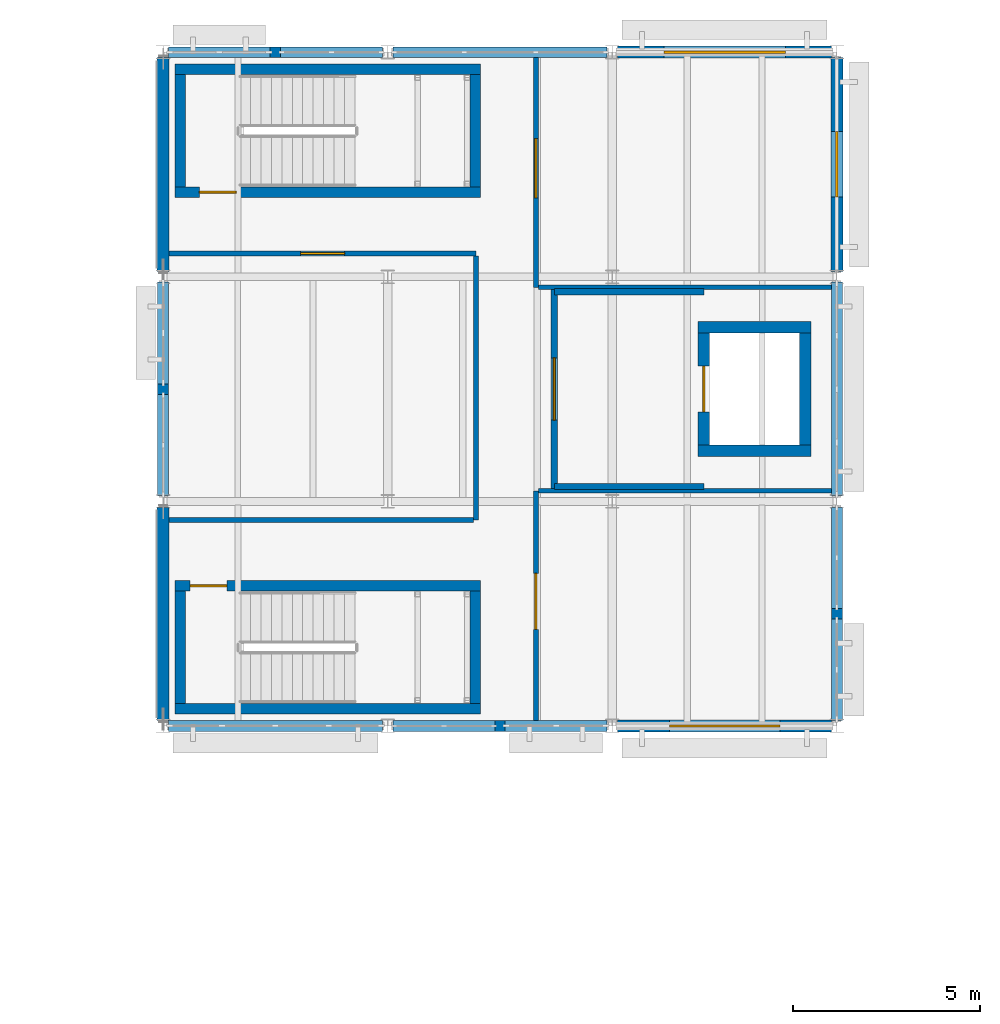
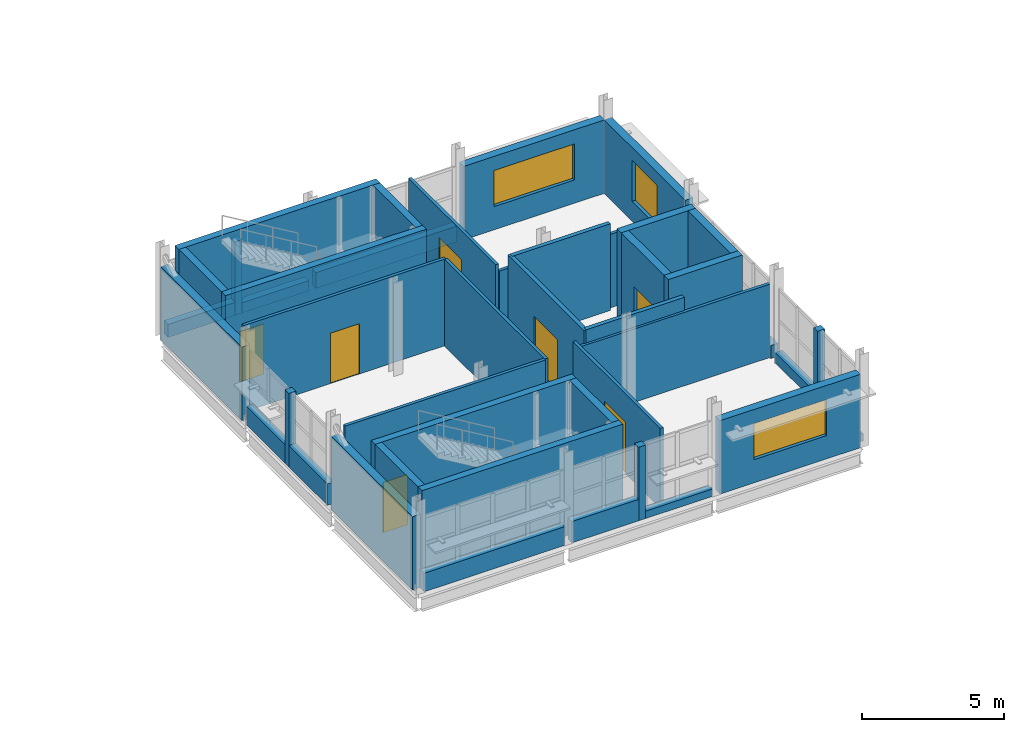
# One storey, part 72 of 92: 42 walls, 7 doors, 3 windows, 10 openings.
"""IFC4 building model written with IfcOpenShell, lengths in metres."""

from ifc_helpers import new_model, si_unit, direction, frame, frame_2d, origin, place, context, subcontext, project, spatial, rectangle, extrude, material, layer, layer_set, type_object, element, fill, save


model = new_model("IFC4")

# Units and contexts
model_context = context("Model", 3, precision=1e-05, world=origin(), true_north=direction((0.0, 1.0)))
body_context = subcontext(model_context, "Body", "Model", "MODEL_VIEW")
ifc_project = project(units=[si_unit("LENGTHUNIT", "METRE"), si_unit("AREAUNIT", "SQUARE_METRE"), si_unit("VOLUMEUNIT", "CUBIC_METRE"), si_unit("PLANEANGLEUNIT", "RADIAN"), si_unit("MASSUNIT", "GRAM", prefix="KILO")], contexts=[model_context])

# Site, building, storey
site_placement = place(None, origin())
site = spatial("IfcSite", under=ifc_project, at=site_placement, CompositionType="ELEMENT")
building_placement = place(site_placement, origin())
building = spatial("IfcBuilding", under=site, at=building_placement, Name="Siltcreek Boulevard Central Fire Station", CompositionType="ELEMENT")
storey_placement = place(building_placement, frame((0.0, 0.0, 6.0)))
storey = spatial("IfcBuildingStorey", under=building, at=storey_placement, Name="L02", CompositionType="ELEMENT", Elevation=6.0)

# Wall
ifc_material_1 = material(Name="Concrete C40/50", Category="concrete")
ifc_layer_1 = layer(ifc_material_1, 0.280029296875, Name="Concrete C40/50")
ifc_layer_set_1 = layer_set([ifc_layer_1], Name="Concrete C40/50")
wall_type_1 = type_object("IfcWallType", Name="CW_SHEAR280", PredefinedType="SHEAR", material=ifc_layer_set_1)
wall_1_placement = place(storey_placement, frame((42.320068359375, 94.659912109375, 0.0), z_axis=(0.0, 0.0, 1.0), x_axis=(1.0, 0.0, 0.0)))
element("IfcWall", 1, at=wall_1_placement, inside=storey, type_object=wall_type_1, Name="L02 ST-V3A stair enclosure south shear wall", PredefinedType="SHEAR", context=body_context, shape_type="SweptSolid", body=[
    extrude(rectangle(XDim=8.159912109375, YDim=0.280029296875, at=frame_2d((4.080078125, 0.0))), origin(), (0.0, 0.0, 1.0), 4.0),
])

# Wall, opening, door
wall_2_placement = place(storey_placement, frame((50.47998046875, 97.93994140625, 0.0), z_axis=(0.0, 0.0, 1.0), x_axis=(-1.0, 0.0, 0.0)))
wall_2 = element("IfcWall", 2, at=wall_2_placement, inside=storey, type_object=wall_type_1, Name="L02 ST-V3A stair enclosure north shear wall", PredefinedType="SHEAR", context=body_context, shape_type="SweptSolid", body=[
    extrude(rectangle(XDim=8.159912109375, YDim=0.280029296875, at=frame_2d((4.080078125, 0.0))), origin(), (0.0, 0.0, 1.0), 4.0),
])
opening_1_placement = place(wall_2_placement, frame((6.780029296875, 0.0, 0.0)))
opening_1 = element("IfcOpeningElement", 3, at=opening_1_placement, cuts=wall_2, Name="Opening SD-021", PredefinedType="OPENING", context=body_context, shape_type="SweptSolid", body=[
    extrude(rectangle(XDim=0.97998046875, YDim=2.14990234375, at=frame_2d((0.489990234375, 1.074951171875))), frame((0.0, 0.14990234375, 0.0), z_axis=(0.0, -1.0, 0.0), x_axis=(1.0, 0.0, 0.0)), (0.0, 0.0, 1.0), 0.300048828125),
])
ifc_material_2 = material(Name="Hollow metal 90-min enclosed stair door")
door_type_1 = type_object("IfcDoorType", Name="DR_ST_098X215", OperationType="NOTDEFINED", PredefinedType="DOOR", material=ifc_material_2)
door_1_placement = place(opening_1_placement, origin())
door_1 = element("IfcDoor", 4, at=door_1_placement, inside=storey, type_object=door_type_1, Name="L02 ST-V3A enclosed exit stair door SD-021", OperationType="SINGLE_SWING_RIGHT", OverallHeight=2.14990234375, OverallWidth=0.97998046875, PredefinedType="DOOR", context=body_context, shape_type="SweptSolid", body=[
    extrude(rectangle(XDim=0.97998046875, YDim=2.14990234375, at=frame_2d((0.489990234375, 1.074951171875))), frame((0.0, 0.02490234375, 0.0), z_axis=(0.0, -1.0, 0.0), x_axis=(1.0, 0.0, 0.0)), (0.0, 0.0, 1.0), 0.050048828125),
])
fill(opening_1, door_1)

# Walls
for number, where, z_axis, x_axis, name in (
    (5, (42.4599609375, 97.800048828125, 0.0), (0.0, 0.0, 1.0), (0.0, -1.0, 0.0), "L02 ST-V3A stair enclosure west shear wall"),
    (6, (50.340087890625, 94.800048828125, 0.0), (0.0, 0.0, 1.0), (0.0, 1.0, 0.0), "L02 ST-V3A stair enclosure east shear wall"),
):
    element("IfcWall", number, at=place(storey_placement, frame(where, z_axis=z_axis, x_axis=x_axis)), inside=storey, type_object=wall_type_1, Name=name, PredefinedType="SHEAR", context=body_context, shape_type="SweptSolid", body=[
        extrude(rectangle(XDim=3.0, YDim=0.280029296875, at=frame_2d((1.5, 0.0))), origin(), (0.0, 0.0, 1.0), 4.0),
    ])

# Wall, opening, door
wall_3_placement = place(storey_placement, frame((42.320068359375, 108.4599609375, 0.0), z_axis=(0.0, 0.0, 1.0), x_axis=(1.0, 0.0, 0.0)))
wall_3 = element("IfcWall", 7, at=wall_3_placement, inside=storey, type_object=wall_type_1, Name="L02 ST-V3B stair enclosure south shear wall", PredefinedType="SHEAR", context=body_context, shape_type="SweptSolid", body=[
    extrude(rectangle(XDim=8.159912109375, YDim=0.280029296875, at=frame_2d((4.080078125, 0.0))), origin(), (0.0, 0.0, 1.0), 4.0),
])
opening_2_placement = place(wall_3_placement, frame((0.64990234375, 0.0, 0.0)))
opening_2 = element("IfcOpeningElement", 8, at=opening_2_placement, cuts=wall_3, Name="Opening SD-027", PredefinedType="OPENING", context=body_context, shape_type="SweptSolid", body=[
    extrude(rectangle(XDim=0.97998046875, YDim=2.14990234375, at=frame_2d((0.489990234375, 1.074951171875))), frame((0.0, 0.14990234375, 0.0), z_axis=(0.0, -1.0, 0.0), x_axis=(1.0, 0.0, 0.0)), (0.0, 0.0, 1.0), 0.300048828125),
])
door_2_placement = place(opening_2_placement, origin())
door_2 = element("IfcDoor", 9, at=door_2_placement, inside=storey, type_object=door_type_1, Name="L02 ST-V3B enclosed exit stair door SD-027", OperationType="SINGLE_SWING_RIGHT", OverallHeight=2.14990234375, OverallWidth=0.97998046875, PredefinedType="DOOR", context=body_context, shape_type="SweptSolid", body=[
    extrude(rectangle(XDim=0.97998046875, YDim=2.14990234375, at=frame_2d((0.489990234375, 1.074951171875))), frame((0.0, 0.02490234375, 0.0), z_axis=(0.0, -1.0, 0.0), x_axis=(1.0, 0.0, 0.0)), (0.0, 0.0, 1.0), 0.050048828125),
])
fill(opening_2, door_2)

# Walls
wall_4_placement = place(storey_placement, frame((50.47998046875, 111.739990234375, 0.0), z_axis=(0.0, 0.0, 1.0), x_axis=(-1.0, 0.0, 0.0)))
element("IfcWall", 10, at=wall_4_placement, inside=storey, type_object=wall_type_1, Name="L02 ST-V3B stair enclosure north shear wall", PredefinedType="SHEAR", context=body_context, shape_type="SweptSolid", body=[
    extrude(rectangle(XDim=8.159912109375, YDim=0.280029296875, at=frame_2d((4.080078125, 0.0))), origin(), (0.0, 0.0, 1.0), 4.0),
])
for number, where, z_axis, x_axis, name in (
    (11, (42.4599609375, 111.60009765625, 0.0), (0.0, 0.0, 1.0), (0.0, -1.0, 0.0), "L02 ST-V3B stair enclosure west shear wall"),
    (12, (50.340087890625, 108.60009765625, 0.0), (0.0, 0.0, 1.0), (0.0, 1.0, 0.0), "L02 ST-V3B stair enclosure east shear wall"),
):
    element("IfcWall", number, at=place(storey_placement, frame(where, z_axis=z_axis, x_axis=x_axis)), inside=storey, type_object=wall_type_1, Name=name, PredefinedType="SHEAR", context=body_context, shape_type="SweptSolid", body=[
        extrude(rectangle(XDim=3.0, YDim=0.280029296875, at=frame_2d((1.5, 0.0))), origin(), (0.0, 0.0, 1.0), 4.0),
    ])
ifc_layer_2 = layer(ifc_material_1, 0.304931640625, Name="Concrete C40/50")
ifc_layer_set_2 = layer_set([ifc_layer_2], Name="Concrete C40/50")
wall_type_2 = type_object("IfcWallType", Name="CW_SHEAR305", PredefinedType="SHEAR", material=ifc_layer_set_2)
for number, where, z_axis, x_axis, name in (
    (13, (56.294921875, 101.547607421875, 0.0), (0.0, 0.0, 1.0), (1.0, 0.0, 0.0), "L02 EL-04 elevator shaft south shear wall"),
    (14, (59.304931640625, 104.8525390625, 0.0), (0.0, 0.0, 1.0), (-1.0, 0.0, 0.0), "L02 EL-04 elevator shaft north shear wall"),
):
    element("IfcWall", number, at=place(storey_placement, frame(where, z_axis=z_axis, x_axis=x_axis)), inside=storey, type_object=wall_type_2, Name=name, PredefinedType="SHEAR", context=body_context, shape_type="SweptSolid", body=[
        extrude(rectangle(XDim=3.010009765625, YDim=0.304931640625, at=frame_2d((1.5048828125, 0.0))), origin(), (0.0, 0.0, 1.0), 4.0),
    ])

# Wall, opening, door
wall_5_placement = place(storey_placement, frame((56.447509765625, 104.699951171875, 0.0), z_axis=(0.0, 0.0, 1.0), x_axis=(0.0, -1.0, 0.0)))
wall_5 = element("IfcWall", 15, at=wall_5_placement, inside=storey, type_object=wall_type_2, Name="L02 EL-04 elevator shaft west shear wall", PredefinedType="SHEAR", context=body_context, shape_type="SweptSolid", body=[
    extrude(rectangle(XDim=3.0, YDim=0.304931640625, at=frame_2d((1.5, 0.0))), origin(), (0.0, 0.0, 1.0), 4.0),
])
opening_3_placement = place(wall_5_placement, frame((0.889892578125, 0.0, 0.0)))
opening_3 = element("IfcOpeningElement", 16, at=opening_3_placement, cuts=wall_5, Name="Opening LD02", PredefinedType="OPENING", context=body_context, shape_type="SweptSolid", body=[
    extrude(rectangle(XDim=1.219970703125, YDim=2.219970703125, at=frame_2d((0.60986328125, 1.10986328125))), frame((0.0, 0.162353515625, 0.0), z_axis=(0.0, -1.0, 0.0), x_axis=(1.0, 0.0, 0.0)), (0.0, 0.0, 1.0), 0.324951171875),
])
ifc_material_3 = material(Name="Stainless steel firefighting sliding elevator landing door", Category="steel")
door_type_2 = type_object("IfcDoorType", Name="DR_LD_122X222", OperationType="NOTDEFINED", PredefinedType="DOOR", material=ifc_material_3)
door_3_placement = place(opening_3_placement, origin())
door_3 = element("IfcDoor", 17, at=door_3_placement, inside=storey, type_object=door_type_2, Name="L02 EL-04 elevator sliding landing door LD-17", OperationType="SLIDING_TO_LEFT", OverallHeight=2.219970703125, OverallWidth=1.219970703125, PredefinedType="DOOR", context=body_context, shape_type="SweptSolid", body=[
    extrude(rectangle(XDim=1.219970703125, YDim=2.219970703125, at=frame_2d((0.60986328125, 1.10986328125))), frame((0.0, 0.02490234375, 0.0), z_axis=(0.0, -1.0, 0.0), x_axis=(1.0, 0.0, 0.0)), (0.0, 0.0, 1.0), 0.050048828125),
])
fill(opening_3, door_3)

# Walls
wall_6_placement = place(storey_placement, frame((59.152587890625, 101.699951171875, 0.0), z_axis=(0.0, 0.0, 1.0), x_axis=(0.0, 1.0, 0.0)))
element("IfcWall", 18, at=wall_6_placement, inside=storey, type_object=wall_type_2, Name="L02 EL-04 elevator shaft east shear wall", PredefinedType="SHEAR", context=body_context, shape_type="SweptSolid", body=[
    extrude(rectangle(XDim=3.0, YDim=0.304931640625, at=frame_2d((1.5, 0.0))), origin(), (0.0, 0.0, 1.0), 4.0),
])
ifc_material_4 = material(Name="White ribbed aluminum spandrel wall", Category="aluminium")
ifc_layer_3 = layer(ifc_material_4, 0.2900390625, Name="White ribbed aluminum spandrel wall")
ifc_layer_set_3 = layer_set([ifc_layer_3], Name="White ribbed aluminum spandrel wall")
wall_type_3 = type_object("IfcWallType", Name="EW_METAL290", PredefinedType="STANDARD", material=ifc_layer_set_3)
wall_7_placement = place(storey_placement, frame((42.14501953125, 94.199951171875, 0.0), z_axis=(0.0, 0.0, 1.0), x_axis=(1.0, 0.0, 0.0)))
element("IfcWall", 19, at=wall_7_placement, inside=storey, type_object=wall_type_3, Name="L02 V3 curtain-wall sill spandrel 0123", PredefinedType="STANDARD", context=body_context, shape_type="SweptSolid", body=[
    extrude(rectangle(XDim=5.7099609375, YDim=0.2900390625, at=frame_2d((2.85498046875, 0.0))), origin(), (0.0, 0.0, 1.0), 0.800048828125),
])
wall_8_placement = place(storey_placement, frame((50.860107421875, 94.199951171875, 0.0), z_axis=(0.0, 0.0, 1.0), x_axis=(1.0, 0.0, 0.0)))
element("IfcWall", 20, at=wall_8_placement, inside=storey, type_object=wall_type_3, Name="L02 V3 facade pier 0124", PredefinedType="STANDARD", context=body_context, shape_type="SweptSolid", body=[
    extrude(rectangle(XDim=0.27978515625, YDim=0.2900390625, at=frame_2d((0.139892578125, 0.0))), origin(), (0.0, 0.0, 1.0), 3.153076171875),
])
wall_9_placement = place(storey_placement, frame((48.14501953125, 94.199951171875, 0.0), z_axis=(0.0, 0.0, 1.0), x_axis=(1.0, 0.0, 0.0)))
element("IfcWall", 21, at=wall_9_placement, inside=storey, type_object=wall_type_3, Name="L02 V3 curtain-wall sill spandrel 0125", PredefinedType="STANDARD", context=body_context, shape_type="SweptSolid", body=[
    extrude(rectangle(XDim=2.715087890625, YDim=0.2900390625, at=frame_2d((1.357421875, 0.0))), origin(), (0.0, 0.0, 1.0), 0.919921875),
])
wall_10_placement = place(storey_placement, frame((51.139892578125, 94.199951171875, 0.0), z_axis=(0.0, 0.0, 1.0), x_axis=(1.0, 0.0, 0.0)))
element("IfcWall", 22, at=wall_10_placement, inside=storey, type_object=wall_type_3, Name="L02 V3 curtain-wall sill spandrel 0126", PredefinedType="STANDARD", context=body_context, shape_type="SweptSolid", body=[
    extrude(rectangle(XDim=2.715087890625, YDim=0.2900390625, at=frame_2d((1.357421875, 0.0))), origin(), (0.0, 0.0, 1.0), 0.320068359375),
])
wall_11_placement = place(storey_placement, frame((45.139892578125, 112.199951171875, 0.0), z_axis=(0.0, 0.0, 1.0), x_axis=(-1.0, 0.0, 0.0)))
element("IfcWall", 23, at=wall_11_placement, inside=storey, type_object=wall_type_3, Name="L02 V3 facade pier 0128", PredefinedType="STANDARD", context=body_context, shape_type="SweptSolid", body=[
    extrude(rectangle(XDim=0.27978515625, YDim=0.2900390625, at=frame_2d((0.139892578125, 0.0))), origin(), (0.0, 0.0, 1.0), 3.153076171875),
])
wall_12_placement = place(storey_placement, frame((47.85498046875, 112.199951171875, 0.0), z_axis=(0.0, 0.0, 1.0), x_axis=(-1.0, 0.0, 0.0)))
element("IfcWall", 24, at=wall_12_placement, inside=storey, type_object=wall_type_3, Name="L02 V3 curtain-wall sill spandrel 0129", PredefinedType="STANDARD", context=body_context, shape_type="SweptSolid", body=[
    extrude(rectangle(XDim=2.715087890625, YDim=0.2900390625, at=frame_2d((1.357421875, 0.0))), origin(), (0.0, 0.0, 1.0), 0.43994140625),
])
wall_13_placement = place(storey_placement, frame((44.860107421875, 112.199951171875, 0.0), z_axis=(0.0, 0.0, 1.0), x_axis=(-1.0, 0.0, 0.0)))
element("IfcWall", 25, at=wall_13_placement, inside=storey, type_object=wall_type_3, Name="L02 V3 curtain-wall sill spandrel 0130", PredefinedType="STANDARD", context=body_context, shape_type="SweptSolid", body=[
    extrude(rectangle(XDim=2.715087890625, YDim=0.2900390625, at=frame_2d((1.357421875, 0.0))), origin(), (0.0, 0.0, 1.0), 0.56005859375),
])
wall_14_placement = place(storey_placement, frame((53.85498046875, 112.199951171875, 0.0), z_axis=(0.0, 0.0, 1.0), x_axis=(-1.0, 0.0, 0.0)))
element("IfcWall", 26, at=wall_14_placement, inside=storey, type_object=wall_type_3, Name="L02 V3 curtain-wall sill spandrel 0131", PredefinedType="STANDARD", context=body_context, shape_type="SweptSolid", body=[
    extrude(rectangle(XDim=5.7099609375, YDim=0.2900390625, at=frame_2d((2.85498046875, 0.0))), origin(), (0.0, 0.0, 1.0), 0.679931640625),
])
wall_15_placement = place(storey_placement, frame((42.0, 103.340087890625, 0.0), z_axis=(0.0, 0.0, 1.0), x_axis=(0.0, -1.0, 0.0)))
element("IfcWall", 27, at=wall_15_placement, inside=storey, type_object=wall_type_3, Name="L02 V3 facade pier 0134", PredefinedType="STANDARD", context=body_context, shape_type="SweptSolid", body=[
    extrude(rectangle(XDim=0.280029296875, YDim=0.2900390625, at=frame_2d((0.14013671875, 0.0))), origin(), (0.0, 0.0, 1.0), 3.156982421875),
])
wall_16_placement = place(storey_placement, frame((42.0, 106.054931640625, 0.0), z_axis=(0.0, 0.0, 1.0), x_axis=(0.0, -1.0, 0.0)))
element("IfcWall", 28, at=wall_16_placement, inside=storey, type_object=wall_type_3, Name="L02 V3 curtain-wall sill spandrel 0135", PredefinedType="STANDARD", context=body_context, shape_type="SweptSolid", body=[
    extrude(rectangle(XDim=2.71484375, YDim=0.2900390625, at=frame_2d((1.357421875, 0.0))), origin(), (0.0, 0.0, 1.0), 0.800048828125),
])
wall_17_placement = place(storey_placement, frame((42.0, 103.06005859375, 0.0), z_axis=(0.0, 0.0, 1.0), x_axis=(0.0, -1.0, 0.0)))
element("IfcWall", 29, at=wall_17_placement, inside=storey, type_object=wall_type_3, Name="L02 V3 curtain-wall sill spandrel 0136", PredefinedType="STANDARD", context=body_context, shape_type="SweptSolid", body=[
    extrude(rectangle(XDim=2.715087890625, YDim=0.2900390625, at=frame_2d((1.357421875, 0.0))), origin(), (0.0, 0.0, 1.0), 0.919921875),
])
wall_18_placement = place(storey_placement, frame((60.0, 97.06005859375, 0.0), z_axis=(0.0, 0.0, 1.0), x_axis=(0.0, 1.0, 0.0)))
element("IfcWall", 30, at=wall_18_placement, inside=storey, type_object=wall_type_3, Name="L02 V3 facade pier 0138", PredefinedType="STANDARD", context=body_context, shape_type="SweptSolid", body=[
    extrude(rectangle(XDim=0.280029296875, YDim=0.2900390625, at=frame_2d((0.14013671875, 0.0))), origin(), (0.0, 0.0, 1.0), 3.156982421875),
])
wall_19_placement = place(storey_placement, frame((60.0, 94.344970703125, 0.0), z_axis=(0.0, 0.0, 1.0), x_axis=(0.0, 1.0, 0.0)))
element("IfcWall", 31, at=wall_19_placement, inside=storey, type_object=wall_type_3, Name="L02 V3 curtain-wall sill spandrel 0139", PredefinedType="STANDARD", context=body_context, shape_type="SweptSolid", body=[
    extrude(rectangle(XDim=2.715087890625, YDim=0.2900390625, at=frame_2d((1.357421875, 0.0))), origin(), (0.0, 0.0, 1.0), 0.320068359375),
])
wall_20_placement = place(storey_placement, frame((60.0, 97.340087890625, 0.0), z_axis=(0.0, 0.0, 1.0), x_axis=(0.0, 1.0, 0.0)))
element("IfcWall", 32, at=wall_20_placement, inside=storey, type_object=wall_type_3, Name="L02 V3 curtain-wall sill spandrel 0140", PredefinedType="STANDARD", context=body_context, shape_type="SweptSolid", body=[
    extrude(rectangle(XDim=2.71484375, YDim=0.2900390625, at=frame_2d((1.357421875, 0.0))), origin(), (0.0, 0.0, 1.0), 0.43994140625),
])
wall_21_placement = place(storey_placement, frame((60.0, 100.344970703125, 0.0), z_axis=(0.0, 0.0, 1.0), x_axis=(0.0, 1.0, 0.0)))
element("IfcWall", 33, at=wall_21_placement, inside=storey, type_object=wall_type_3, Name="L02 V3 curtain-wall sill spandrel 0141", PredefinedType="STANDARD", context=body_context, shape_type="SweptSolid", body=[
    extrude(rectangle(XDim=5.7099609375, YDim=0.2900390625, at=frame_2d((2.85498046875, 0.0))), origin(), (0.0, 0.0, 1.0), 0.56005859375),
])

# Wall, opening, window
ifc_material_5 = material(Name="White ribbed aluminum insulated rainscreen panel", Category="aluminium")
ifc_layer_4 = layer(ifc_material_5, 0.320068359375, Name="White ribbed aluminum insulated rainscreen panel")
ifc_layer_set_4 = layer_set([ifc_layer_4], Name="White ribbed aluminum insulated rainscreen panel")
wall_type_4 = type_object("IfcWallType", Name="EW_METAL320", PredefinedType="STANDARD", material=ifc_layer_set_4)
wall_22_placement = place(storey_placement, frame((54.14501953125, 94.199951171875, 0.0), z_axis=(0.0, 0.0, 1.0), x_axis=(1.0, 0.0, 0.0)))
wall_22 = element("IfcWall", 34, at=wall_22_placement, inside=storey, type_object=wall_type_4, Name="L02 V3 exterior insulated rainscreen wall WL-EXT-L02-0127", PredefinedType="STANDARD", context=body_context, shape_type="SweptSolid", body=[
    extrude(rectangle(XDim=5.7099609375, YDim=0.320068359375, at=frame_2d((2.85498046875, 0.0))), origin(), (0.0, 0.0, 1.0), 3.153076171875),
])
opening_4_placement = place(wall_22_placement, frame((1.3798828125, 0.0, 1.0)))
opening_4 = element("IfcOpeningElement", 35, at=opening_4_placement, cuts=wall_22, Name="Opening WN18", PredefinedType="OPENING", context=body_context, shape_type="SweptSolid", body=[
    extrude(rectangle(XDim=2.949951171875, YDim=1.550048828125, at=frame_2d((1.47509765625, 0.77490234375))), frame((0.0, 0.169921875, 0.0), z_axis=(0.0, -1.0, 0.0), x_axis=(1.0, 0.0, 0.0)), (0.0, 0.0, 1.0), 0.340087890625),
])
ifc_material_6 = material(Name="Thermally broken aluminum frame with low-E insulated glass", Category="aluminium")
window_type_1 = type_object("IfcWindowType", Name="WN_PB_295X155", PartitioningType="SINGLE_PANEL", PredefinedType="WINDOW", material=ifc_material_6)
window_1_placement = place(opening_4_placement, origin())
window_1 = element("IfcWindow", 36, at=window_1_placement, inside=storey, type_object=window_type_1, Name="L02 V3 exterior window WN-0085", OverallHeight=1.550048828125, OverallWidth=2.949951171875, PartitioningType="SINGLE_PANEL", PredefinedType="WINDOW", context=body_context, shape_type="SweptSolid", body=[
    extrude(rectangle(XDim=2.949951171875, YDim=1.550048828125, at=frame_2d((1.47509765625, 0.77490234375))), frame((0.0, 0.030029296875, 0.0), z_axis=(0.0, -1.0, 0.0), x_axis=(1.0, 0.0, 0.0)), (0.0, 0.0, 1.0), 0.06005859375),
])
fill(opening_4, window_1)

wall_23_placement = place(storey_placement, frame((59.85498046875, 112.199951171875, 0.0), z_axis=(0.0, 0.0, 1.0), x_axis=(-1.0, 0.0, 0.0)))
wall_23 = element("IfcWall", 37, at=wall_23_placement, inside=storey, type_object=wall_type_4, Name="L02 V3 exterior insulated rainscreen wall WL-EXT-L02-0132", PredefinedType="STANDARD", context=body_context, shape_type="SweptSolid", body=[
    extrude(rectangle(XDim=5.7099609375, YDim=0.320068359375, at=frame_2d((2.85498046875, 0.0))), origin(), (0.0, 0.0, 1.0), 3.153076171875),
])
opening_5_placement = place(wall_23_placement, frame((1.22998046875, 0.0, 1.0)))
opening_5 = element("IfcOpeningElement", 38, at=opening_5_placement, cuts=wall_23, Name="Opening WN19", PredefinedType="OPENING", context=body_context, shape_type="SweptSolid", body=[
    extrude(rectangle(XDim=3.25, YDim=1.550048828125, at=frame_2d((1.625, 0.77490234375))), frame((0.0, 0.169921875, 0.0), z_axis=(0.0, -1.0, 0.0), x_axis=(1.0, 0.0, 0.0)), (0.0, 0.0, 1.0), 0.340087890625),
])
window_type_2 = type_object("IfcWindowType", Name="WN_PB_325X155", PartitioningType="SINGLE_PANEL", PredefinedType="WINDOW", material=ifc_material_6)
window_2_placement = place(opening_5_placement, origin())
window_2 = element("IfcWindow", 39, at=window_2_placement, inside=storey, type_object=window_type_2, Name="L02 V3 exterior window WN-0086", OverallHeight=1.550048828125, OverallWidth=3.25, PartitioningType="SINGLE_PANEL", PredefinedType="WINDOW", context=body_context, shape_type="SweptSolid", body=[
    extrude(rectangle(XDim=3.25, YDim=1.550048828125, at=frame_2d((1.625, 0.77490234375))), frame((0.0, 0.030029296875, 0.0), z_axis=(0.0, -1.0, 0.0), x_axis=(1.0, 0.0, 0.0)), (0.0, 0.0, 1.0), 0.06005859375),
])
fill(opening_5, window_2)

# Walls
for number, where, z_axis, x_axis, name in (
    (40, (42.0, 100.054931640625, 0.0), (0.0, 0.0, 1.0), (0.0, -1.0, 0.0), "L02 V3 exterior insulated rainscreen wall WL-EXT-L02-0133"),
    (41, (42.0, 112.054931640625, 0.0), (0.0, 0.0, 1.0), (0.0, -1.0, 0.0), "L02 V3 exterior insulated rainscreen wall WL-EXT-L02-0137"),
):
    element("IfcWall", number, at=place(storey_placement, frame(where, z_axis=z_axis, x_axis=x_axis)), inside=storey, type_object=wall_type_4, Name=name, PredefinedType="STANDARD", context=body_context, shape_type="SweptSolid", body=[
        extrude(rectangle(XDim=5.7099609375, YDim=0.320068359375, at=frame_2d((2.85498046875, 0.0))), origin(), (0.0, 0.0, 1.0), 3.156982421875),
    ])

# Wall, opening, window
wall_24_placement = place(storey_placement, frame((60.0, 106.344970703125, 0.0), z_axis=(0.0, 0.0, 1.0), x_axis=(0.0, 1.0, 0.0)))
wall_24 = element("IfcWall", 42, at=wall_24_placement, inside=storey, type_object=wall_type_4, Name="L02 V3 exterior insulated rainscreen wall WL-EXT-L02-0142", PredefinedType="STANDARD", context=body_context, shape_type="SweptSolid", body=[
    extrude(rectangle(XDim=5.7099609375, YDim=0.320068359375, at=frame_2d((2.85498046875, 0.0))), origin(), (0.0, 0.0, 1.0), 3.156982421875),
])
opening_6_placement = place(wall_24_placement, frame((1.97998046875, 0.0, 0.85009765625)))
opening_6 = element("IfcOpeningElement", 43, at=opening_6_placement, cuts=wall_24, Name="Opening WN20", PredefinedType="OPENING", context=body_context, shape_type="SweptSolid", body=[
    extrude(rectangle(XDim=1.75, YDim=1.75, at=frame_2d((0.875, 0.875))), frame((0.0, 0.169921875, 0.0), z_axis=(0.0, -1.0, 0.0), x_axis=(1.0, 0.0, 0.0)), (0.0, 0.0, 1.0), 0.340087890625),
])
window_type_3 = type_object("IfcWindowType", Name="WN_PB_175X175", PartitioningType="SINGLE_PANEL", PredefinedType="WINDOW", material=ifc_material_6)
window_3_placement = place(opening_6_placement, origin())
window_3 = element("IfcWindow", 44, at=window_3_placement, inside=storey, type_object=window_type_3, Name="L02 V3 exterior window WN-0087", OverallHeight=1.75, OverallWidth=1.75, PartitioningType="SINGLE_PANEL", PredefinedType="WINDOW", context=body_context, shape_type="SweptSolid", body=[
    extrude(rectangle(XDim=1.75, YDim=1.75, at=frame_2d((0.875, 0.875))), frame((0.0, 0.030029296875, 0.0), z_axis=(0.0, -1.0, 0.0), x_axis=(1.0, 0.0, 0.0)), (0.0, 0.0, 1.0), 0.06005859375),
])
fill(opening_6, window_3)

# Wall, opening, door
ifc_material_7 = material(Name="Interior steel stud gypsum partition", Category="steel")
ifc_layer_5 = layer(ifc_material_7, 0.125, Name="Interior steel stud gypsum partition")
ifc_layer_set_5 = layer_set([ifc_layer_5], Name="Interior steel stud gypsum partition")
wall_type_5 = type_object("IfcWallType", Name="IW_PART125", PredefinedType="PARTITIONING", material=ifc_layer_set_5)
wall_25_placement = place(storey_placement, frame((42.159912109375, 106.820068359375, 0.0), z_axis=(0.0, 0.0, 1.0), x_axis=(1.0, 0.0, 0.0)))
wall_25 = element("IfcWall", 45, at=wall_25_placement, inside=storey, type_object=wall_type_5, Name="L02 Forcible Entry Prop Room partition 0154", PredefinedType="PARTITIONING", context=body_context, shape_type="SweptSolid", body=[
    extrude(rectangle(XDim=8.20263671875, YDim=0.125, at=frame_2d((4.101318359375, 0.0))), origin(), (0.0, 0.0, 1.0), 3.719970703125),
])
opening_7_placement = place(wall_25_placement, frame((3.51123046875, 0.0, 0.0)))
opening_7 = element("IfcOpeningElement", 46, at=opening_7_placement, cuts=wall_25, Name="Opening ID13", PredefinedType="OPENING", context=body_context, shape_type="SweptSolid", body=[
    extrude(rectangle(XDim=1.179931640625, YDim=2.159912109375, at=frame_2d((0.58984375, 1.080078125))), frame((0.0, 0.072509765625, 0.0), z_axis=(0.0, -1.0, 0.0), x_axis=(1.0, 0.0, 0.0)), (0.0, 0.0, 1.0), 0.14501953125),
])
ifc_material_8 = material(Name="Antimicrobial walk-in triage door")
door_type_3 = type_object("IfcDoorType", Name="DR_MED_118X216", OperationType="NOTDEFINED", PredefinedType="DOOR", material=ifc_material_8)
door_4_placement = place(opening_7_placement, frame((1.179931640625, 0.0, 0.0), z_axis=(0.0, 0.0, 1.0), x_axis=(-1.0, 0.0, 0.0)))
door_4 = element("IfcDoor", 47, at=door_4_placement, inside=storey, type_object=door_type_3, Name="L02 Forcible Entry Prop Room door ID-0071", OperationType="SINGLE_SWING_RIGHT", OverallHeight=2.159912109375, OverallWidth=1.179931640625, PredefinedType="DOOR", context=body_context, shape_type="SweptSolid", body=[
    extrude(rectangle(XDim=1.179931640625, YDim=2.159912109375, at=frame_2d((0.58984375, 1.080078125))), frame((0.0, 0.02490234375, 0.0), z_axis=(0.0, -1.0, 0.0), x_axis=(1.0, 0.0, 0.0)), (0.0, 0.0, 1.0), 0.050048828125),
])
fill(opening_7, door_4)

# Walls
wall_26_placement = place(storey_placement, frame((50.360107421875, 106.757568359375, 0.0), z_axis=(0.0, 0.0, 1.0), x_axis=(0.0, -1.0, 0.0)))
element("IfcWall", 48, at=wall_26_placement, inside=storey, type_object=wall_type_5, Name="L02 Forcible Entry Prop Room partition 0155", PredefinedType="PARTITIONING", context=body_context, shape_type="SweptSolid", body=[
    extrude(rectangle(XDim=7.06005859375, YDim=0.125, at=frame_2d((3.530029296875, 0.0))), origin(), (0.0, 0.0, 1.0), 3.719970703125),
])
wall_27_placement = place(storey_placement, frame((50.297607421875, 99.699951171875, 0.0), z_axis=(0.0, 0.0, 1.0), x_axis=(-1.0, 0.0, 0.0)))
element("IfcWall", 49, at=wall_27_placement, inside=storey, type_object=wall_type_5, Name="L02 Forcible Entry Prop Room partition 0156", PredefinedType="PARTITIONING", context=body_context, shape_type="SweptSolid", body=[
    extrude(rectangle(XDim=8.1376953125, YDim=0.125, at=frame_2d((4.06884765625, 0.0))), origin(), (0.0, 0.0, 1.0), 3.719970703125),
])

# Wall, opening, door
wall_28_placement = place(storey_placement, frame((51.9599609375, 94.344970703125, 0.0), z_axis=(0.0, 0.0, 1.0), x_axis=(0.0, 1.0, 0.0)))
wall_28 = element("IfcWall", 50, at=wall_28_placement, inside=storey, type_object=wall_type_5, Name="L02 Sprinkler Valve Prop Room partition 0157", PredefinedType="PARTITIONING", context=body_context, shape_type="SweptSolid", body=[
    extrude(rectangle(XDim=6.137451171875, YDim=0.125, at=frame_2d((3.06884765625, 0.0))), origin(), (0.0, 0.0, 1.0), 3.429931640625),
])
opening_8_placement = place(wall_28_placement, frame((2.432373046875, 0.0, 0.0)))
opening_8 = element("IfcOpeningElement", 51, at=opening_8_placement, cuts=wall_28, Name="Opening ID14", PredefinedType="OPENING", context=body_context, shape_type="SweptSolid", body=[
    extrude(rectangle(XDim=1.5, YDim=2.219970703125, at=frame_2d((0.75, 1.10986328125))), frame((0.0, 0.072509765625, 0.0), z_axis=(0.0, -1.0, 0.0), x_axis=(1.0, 0.0, 0.0)), (0.0, 0.0, 1.0), 0.14501953125),
])
ifc_material_9 = material(Name="Glazed conditioning gym pair")
door_type_4 = type_object("IfcDoorType", Name="DR_GYM_150X222", OperationType="NOTDEFINED", PredefinedType="DOOR", material=ifc_material_9)
door_5_placement = place(opening_8_placement, frame((1.5, 0.0, 0.0), z_axis=(0.0, 0.0, 1.0), x_axis=(-1.0, 0.0, 0.0)))
door_5 = element("IfcDoor", 52, at=door_5_placement, inside=storey, type_object=door_type_4, Name="L02 Sprinkler Valve Prop Room door ID-0072", OperationType="SINGLE_SWING_LEFT", OverallHeight=2.219970703125, OverallWidth=1.5, PredefinedType="DOOR", context=body_context, shape_type="SweptSolid", body=[
    extrude(rectangle(XDim=1.5, YDim=2.219970703125, at=frame_2d((0.75, 1.10986328125))), frame((0.0, 0.02490234375, 0.0), z_axis=(0.0, -1.0, 0.0), x_axis=(1.0, 0.0, 0.0)), (0.0, 0.0, 1.0), 0.050048828125),
])
fill(opening_8, door_5)

# Wall
wall_29_placement = place(storey_placement, frame((52.0224609375, 100.47998046875, 0.0), z_axis=(0.0, 0.0, 1.0), x_axis=(1.0, 0.0, 0.0)))
element("IfcWall", 53, at=wall_29_placement, inside=storey, type_object=wall_type_5, Name="L02 Sprinkler Valve Prop Room partition 0158", PredefinedType="PARTITIONING", context=body_context, shape_type="SweptSolid", body=[
    extrude(rectangle(XDim=7.83251953125, YDim=0.125, at=frame_2d((3.916259765625, 0.0))), origin(), (0.0, 0.0, 1.0), 3.153076171875),
])

# Wall, opening, door
wall_30_placement = place(storey_placement, frame((51.9599609375, 105.91748046875, 0.0), z_axis=(0.0, 0.0, 1.0), x_axis=(0.0, 1.0, 0.0)))
wall_30 = element("IfcWall", 54, at=wall_30_placement, inside=storey, type_object=wall_type_5, Name="L02 Search and Rescue Prop Room partition 0159", PredefinedType="PARTITIONING", context=body_context, shape_type="SweptSolid", body=[
    extrude(rectangle(XDim=6.137451171875, YDim=0.125, at=frame_2d((3.06884765625, 0.0))), origin(), (0.0, 0.0, 1.0), 3.429931640625),
])
opening_9_placement = place(wall_30_placement, frame((2.390380859375, 0.0, 0.0)))
opening_9 = element("IfcOpeningElement", 55, at=opening_9_placement, cuts=wall_30, Name="Opening AD02", PredefinedType="OPENING", context=body_context, shape_type="SweptSolid", body=[
    extrude(rectangle(XDim=1.580078125, YDim=2.199951171875, at=frame_2d((0.7900390625, 1.10009765625))), frame((0.0, 0.072509765625, 0.0), z_axis=(0.0, -1.0, 0.0), x_axis=(1.0, 0.0, 0.0)), (0.0, 0.0, 1.0), 0.14501953125),
])
ifc_material_10 = material(Name="Glazed acoustic assembly hall double door")
door_type_5 = type_object("IfcDoorType", Name="DR_HAL_158X220", OperationType="NOTDEFINED", PredefinedType="DOOR", material=ifc_material_10)
door_6_placement = place(opening_9_placement, frame((1.580078125, 0.0, 0.0), z_axis=(0.0, 0.0, 1.0), x_axis=(-1.0, 0.0, 0.0)))
door_6 = element("IfcDoor", 56, at=door_6_placement, inside=storey, type_object=door_type_5, Name="L02 Search and Rescue Prop Room door ID-0073", OperationType="DOUBLE_DOOR_SINGLE_SWING", OverallHeight=2.199951171875, OverallWidth=1.580078125, PredefinedType="DOOR", context=body_context, shape_type="SweptSolid", body=[
    extrude(rectangle(XDim=1.580078125, YDim=2.199951171875, at=frame_2d((0.7900390625, 1.10009765625))), frame((0.0, 0.02490234375, 0.0), z_axis=(0.0, -1.0, 0.0), x_axis=(1.0, 0.0, 0.0)), (0.0, 0.0, 1.0), 0.050048828125),
])
fill(opening_9, door_6)

# Walls
wall_31_placement = place(storey_placement, frame((59.85498046875, 105.919921875, 0.0), z_axis=(0.0, 0.0, 1.0), x_axis=(-1.0, 0.0, 0.0)))
element("IfcWall", 57, at=wall_31_placement, inside=storey, type_object=wall_type_5, Name="L02 Search and Rescue Prop Room partition 0160", PredefinedType="PARTITIONING", context=body_context, shape_type="SweptSolid", body=[
    extrude(rectangle(XDim=7.83251953125, YDim=0.125, at=frame_2d((3.916259765625, 0.0))), origin(), (0.0, 0.0, 1.0), 3.153076171875),
])
ifc_material_11 = material(Name="Acoustic smoke-barrier steel stud gypsum wall", Category="steel")
ifc_layer_6 = layer(ifc_material_11, 0.1650390625, Name="Acoustic smoke-barrier steel stud gypsum wall")
ifc_layer_set_6 = layer_set([ifc_layer_6], Name="Acoustic smoke-barrier steel stud gypsum wall")
wall_type_6 = type_object("IfcWallType", Name="IW_SMK165", PredefinedType="PARTITIONING", material=ifc_layer_set_6)
for number, where, z_axis, x_axis, name in (
    (58, (52.449951171875, 100.60009765625, 0.0), (0.0, 0.0, 1.0), (1.0, 0.0, 0.0), "L02 EL-04 elevator lobby S smoke partition"),
    (59, (56.447509765625, 105.800048828125, 0.0), (0.0, 0.0, 1.0), (-1.0, 0.0, 0.0), "L02 EL-04 elevator lobby N smoke partition"),
):
    element("IfcWall", number, at=place(storey_placement, frame(where, z_axis=z_axis, x_axis=x_axis)), inside=storey, type_object=wall_type_6, Name=name, PredefinedType="PARTITIONING", context=body_context, shape_type="SweptSolid", body=[
        extrude(rectangle(XDim=3.99755859375, YDim=0.1650390625, at=frame_2d((1.998779296875, 0.0))), origin(), (0.0, 0.0, 1.0), 3.719970703125),
    ])

# Wall, opening, door
wall_32_placement = place(storey_placement, frame((52.449951171875, 100.52001953125, 0.0), z_axis=(0.0, 0.0, 1.0), x_axis=(0.0, 1.0, 0.0)))
wall_32 = element("IfcWall", 60, at=wall_32_placement, inside=storey, type_object=wall_type_6, Name="L02 EL-04 elevator lobby west smoke partition", PredefinedType="PARTITIONING", context=body_context, shape_type="SweptSolid", body=[
    extrude(rectangle(XDim=5.35986328125, YDim=0.1650390625, at=frame_2d((2.679931640625, 0.0))), origin(), (0.0, 0.0, 1.0), 3.719970703125),
])
opening_10_placement = place(wall_32_placement, frame((1.85009765625, 0.0, 0.0)))
opening_10 = element("IfcOpeningElement", 61, at=opening_10_placement, cuts=wall_32, Name="Opening FD02", PredefinedType="OPENING", context=body_context, shape_type="SweptSolid", body=[
    extrude(rectangle(XDim=1.659912109375, YDim=2.199951171875, at=frame_2d((0.830078125, 1.10009765625))), frame((0.0, 0.092529296875, 0.0), z_axis=(0.0, -1.0, 0.0), x_axis=(1.0, 0.0, 0.0)), (0.0, 0.0, 1.0), 0.18505859375),
])
ifc_material_12 = material(Name="Hollow metal smoke-barrier elevator lobby pair")
door_type_6 = type_object("IfcDoorType", Name="DR_LOB_166X220", OperationType="NOTDEFINED", PredefinedType="DOOR", material=ifc_material_12)
door_7_placement = place(opening_10_placement, frame((1.659912109375, 0.0, 0.0), z_axis=(0.0, 0.0, 1.0), x_axis=(-1.0, 0.0, 0.0)))
door_7 = element("IfcDoor", 62, at=door_7_placement, inside=storey, type_object=door_type_6, Name="L02 EL-04 elevator lobby smoke door", OperationType="DOUBLE_DOOR_SINGLE_SWING", OverallHeight=2.199951171875, OverallWidth=1.659912109375, PredefinedType="DOOR", context=body_context, shape_type="SweptSolid", body=[
    extrude(rectangle(XDim=1.659912109375, YDim=2.199951171875, at=frame_2d((0.830078125, 1.10009765625))), frame((0.0, 0.02490234375, 0.0), z_axis=(0.0, -1.0, 0.0), x_axis=(1.0, 0.0, 0.0)), (0.0, 0.0, 1.0), 0.050048828125),
])
fill(opening_10, door_7)

save(model, "model.ifc")
